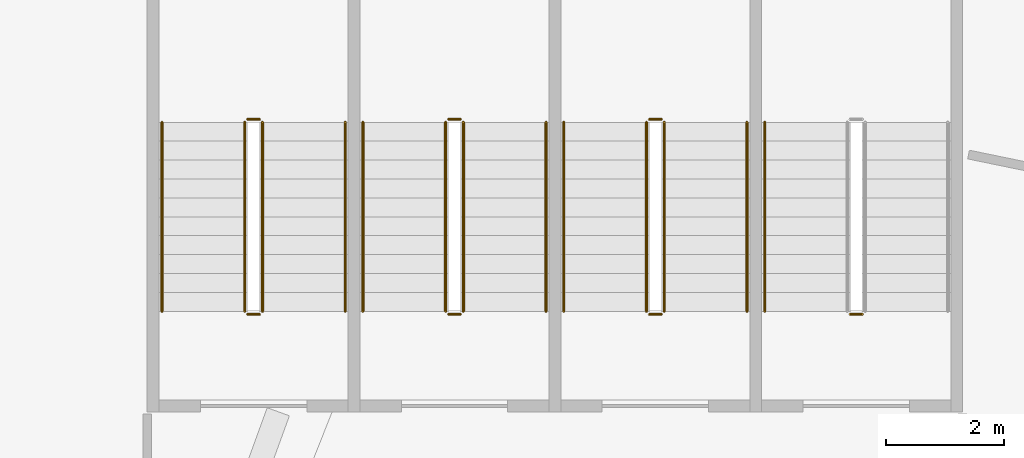
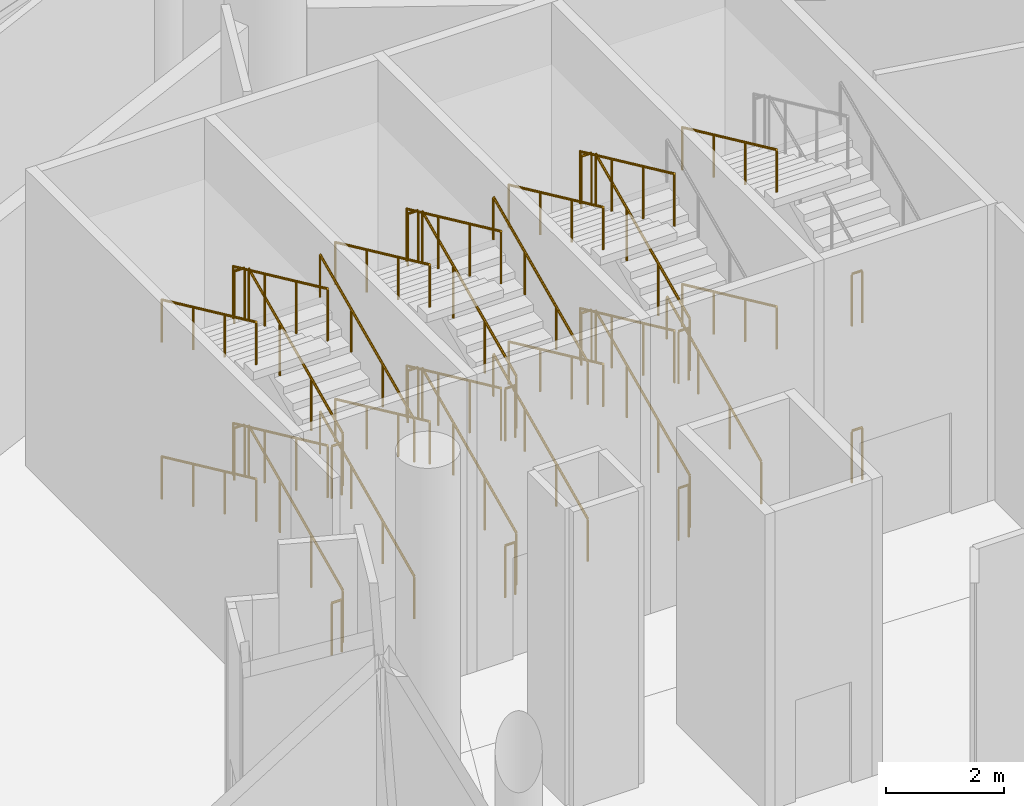
# One storey, part 249 of 255: 39 railings.
"""IFC4 building model written with IfcOpenShell, lengths in metres."""

import ifcopenshell
import ifcopenshell.guid

model = None  # the IFC model being written
_history = None  # IfcOwnerHistory: only IFC2X3 demands one
_inside = {}  # id of a spatial element -> (the spatial element, [elements in it])
_under = {}  # id of a project, library or spatial element -> (it, [spatial elements below it])
_declared = {}  # id of a project -> (the project, [libraries it declares])
_typed = {}  # id of a type object -> (the type object, [elements of that type])
_made_of = {}  # id of a material, layer set ... -> (it, [elements and type objects made of it])


def new_model(schema):
    """Start an empty IFC model of exactly this schema.

    Asked for "IFC4X3", IfcOpenShell would pick the latest addendum, in which some entities
    have other attributes; the version numbers below select the first issue.
    IFC2X3 requires an IfcOwnerHistory on every rooted entity: one is made here for all.
    """
    global model, _history
    if schema == "IFC4X3":
        model = ifcopenshell.file(schema_version=(4, 3, 0, 0))
    else:
        model = ifcopenshell.file(schema=schema)
    _inside.clear()
    _under.clear()
    _declared.clear()
    _typed.clear()
    _made_of.clear()
    _history = None
    if model.schema == "IFC2X3":
        org = make("IfcOrganization", Name="unknown")
        user = make(
            "IfcPersonAndOrganization",
            ThePerson=make("IfcPerson", FamilyName="unknown"),
            TheOrganization=org,
        )
        app = make(
            "IfcApplication",
            ApplicationDeveloper=org,
            Version="unknown",
            ApplicationFullName="unknown",
            ApplicationIdentifier="unknown",
        )
        _history = make(
            "IfcOwnerHistory",
            OwningUser=user,
            OwningApplication=app,
            ChangeAction="ADDED",
            CreationDate=0,
        )
    return model


def make(cls, **values):
    """One entity of the class cls with the attributes given. An attribute that is None is left unset."""
    return model.create_entity(
        cls, **{name: value for name, value in values.items() if value is not None}
    )


def rooted(cls, **values):
    """An entity with a GlobalId (a new one), such as an element, a storey or a relation."""
    return make(cls, GlobalId=ifcopenshell.guid.new(), OwnerHistory=_history, **values)


def si_unit(unit_type, name, prefix=None):
    """IfcSIUnit, for example si_unit("LENGTHUNIT", "METRE", prefix="MILLI")."""
    return make("IfcSIUnit", UnitType=unit_type, Prefix=prefix, Name=name)


def assignment(units):
    """IfcUnitAssignment: the units of a project."""
    return None if units is None else make("IfcUnitAssignment", Units=units)


def point(xyz):
    """IfcCartesianPoint."""
    return None if xyz is None else make("IfcCartesianPoint", Coordinates=xyz)


def direction(xyz):
    """IfcDirection."""
    return None if xyz is None else make("IfcDirection", DirectionRatios=xyz)


def frame(location, z_axis=None, x_axis=None):
    """IfcAxis2Placement3D, a coordinate frame: its origin and axes. An axis left out is left unset."""
    return make(
        "IfcAxis2Placement3D",
        Location=point(location),
        Axis=direction(z_axis),
        RefDirection=direction(x_axis),
    )


def frame_2d(location, x_axis=None):
    """IfcAxis2Placement2D, a coordinate frame in the plane: its origin and x axis."""
    return make(
        "IfcAxis2Placement2D", Location=point(location), RefDirection=direction(x_axis)
    )


def origin():
    """The frame at (0, 0, 0) with its axes left unset."""
    return frame((0.0, 0.0, 0.0))


def origin_2d():
    """The frame at (0, 0) in the plane with its x axis left unset."""
    return frame_2d((0.0, 0.0))


def place(relative_to, where):
    """IfcLocalPlacement: puts the frame where relative to a parent placement (None: the world)."""
    return make(
        "IfcLocalPlacement", PlacementRelTo=relative_to, RelativePlacement=where
    )


def context(
    kind, dimensions, precision=None, world=None, true_north=None, identifier=None
):
    """IfcGeometricRepresentationContext, for example the 3D "Model" context."""
    return make(
        "IfcGeometricRepresentationContext",
        ContextIdentifier=identifier,
        ContextType=kind,
        CoordinateSpaceDimension=dimensions,
        Precision=precision,
        WorldCoordinateSystem=world,
        TrueNorth=true_north,
    )


def subcontext(parent, identifier, kind, view, scale=None):
    """IfcGeometricRepresentationSubContext, for example "Body" below "Model"."""
    return make(
        "IfcGeometricRepresentationSubContext",
        ContextIdentifier=identifier,
        ContextType=kind,
        ParentContext=parent,
        TargetScale=scale,
        TargetView=view,
    )


def project(units=None, contexts=None):
    """IfcProject with its units and contexts."""
    return rooted(
        "IfcProject",
        Name="project",
        RepresentationContexts=contexts,
        UnitsInContext=assignment(units),
    )


def spatial(cls, under=None, at=None, **own):
    """A site, building, storey or space (cls), placed at a placement, below another one or the project."""
    s = rooted(cls, ObjectPlacement=at, **own)
    if under is not None:
        _under.setdefault(under.id(), (under, []))[1].append(s)
    return s


def profile(cls, at=None, kind="AREA", **sizes):
    """A parametric profile (cls). Its sizes go by their IFC names, for example OverallWidth=200.0."""
    return make(cls, ProfileType=kind, Position=at, **sizes)


def circle(**sizes):
    """IfcCircleProfileDef."""
    return profile("IfcCircleProfileDef", **sizes)


def extrude(swept, where, along, depth):
    """IfcExtrudedAreaSolid: the profile swept, set in the frame where, extruded along a direction by depth."""
    return make(
        "IfcExtrudedAreaSolid",
        SweptArea=swept,
        Position=where,
        ExtrudedDirection=direction(along),
        Depth=depth,
    )


def shape(context_of_items, identifier, shape_type, items):
    """IfcShapeRepresentation: the items that make up one representation, for example the "Body"."""
    return make(
        "IfcShapeRepresentation",
        ContextOfItems=context_of_items,
        RepresentationIdentifier=identifier,
        RepresentationType=shape_type,
        Items=items,
    )


def material(Name=None, Category=None):
    """IfcMaterial."""
    return make("IfcMaterial", Name=Name, Category=Category)


def made_of(thing, what):
    """Note that an element or type object is made of a material, layer set ...; save() writes the relation."""
    if what is not None:
        _made_of.setdefault(what.id(), (what, []))[1].append(thing)
    return thing


def type_object(cls, material=None, **own):
    """A type object (cls), such as IfcWallType, which elements share."""
    return made_of(rooted(cls, **own), material)


def element(
    cls,
    number,
    at=None,
    inside=None,
    cuts=None,
    type_object=None,
    material=None,
    context=None,
    identifier="Body",
    shape_type=None,
    held_by="IfcProductDefinitionShape",
    body=None,
    shapes=None,
    **own,
):
    """One element of the class cls, such as IfcWall. Its Tag is "e" and its number.

    at: its placement. inside: the storey or other place that contains it. cuts: it is an
    opening in that element (IfcRelVoidsElement). A single representation is given by context,
    identifier, shape_type and body (its items); several are given by shapes. held_by: the class
    of the entity that holds the representations. save() writes the other relations.
    """
    e = rooted(cls, Tag="e%d" % number, ObjectPlacement=at, **own)
    if body is not None:
        shapes = [shape(context, identifier, shape_type, body)]
    if shapes is not None:
        e.Representation = make(held_by, Representations=shapes)
    if inside is not None:
        _inside.setdefault(inside.id(), (inside, []))[1].append(e)
    if cuts is not None:
        rooted(
            "IfcRelVoidsElement", RelatingBuildingElement=cuts, RelatedOpeningElement=e
        )
    if type_object is not None:
        _typed.setdefault(type_object.id(), (type_object, []))[1].append(e)
    return made_of(e, material)


def aggregate(whole, parts):
    """IfcRelAggregates: a whole, such as a stair, and the parts it consists of."""
    return rooted("IfcRelAggregates", RelatingObject=whole, RelatedObjects=parts)


def save(model, path):
    """Write the relations noted so far, then the file.

    IfcRelAggregates (storeys below a building ...), IfcRelContainedInSpatialStructure (elements
    in a storey), IfcRelDefinesByType, IfcRelAssociatesMaterial and IfcRelDeclares: one each for
    every whole, place, type object, material and project.
    """
    for whole, parts in _under.values():
        aggregate(whole, parts)
    for where, things in _inside.values():
        rooted(
            "IfcRelContainedInSpatialStructure",
            RelatedElements=things,
            RelatingStructure=where,
        )
    for kind, things in _typed.values():
        rooted("IfcRelDefinesByType", RelatedObjects=things, RelatingType=kind)
    for what, things in _made_of.values():
        rooted("IfcRelAssociatesMaterial", RelatedObjects=things, RelatingMaterial=what)
    for by, libraries in _declared.values():
        rooted("IfcRelDeclares", RelatingContext=by, RelatedDefinitions=libraries)
    model.write(path)


model = new_model("IFC4")

# Units and contexts
model_context = context("Model", 3, precision=1e-05, world=origin(), true_north=direction((0.0, 1.0)))
body_context = subcontext(model_context, "Body", "Model", "MODEL_VIEW")
ifc_project = project(units=[si_unit("LENGTHUNIT", "METRE"), si_unit("AREAUNIT", "SQUARE_METRE"), si_unit("VOLUMEUNIT", "CUBIC_METRE"), si_unit("PLANEANGLEUNIT", "RADIAN"), si_unit("MASSUNIT", "GRAM", prefix="KILO")], contexts=[model_context])

# Site, building, storey
site_placement = place(None, origin())
site = spatial("IfcSite", under=ifc_project, at=site_placement, CompositionType="ELEMENT")
building_placement = place(site_placement, origin())
building = spatial("IfcBuilding", under=site, at=building_placement, Name="Meseta Stadium", CompositionType="ELEMENT")
storey_placement = place(building_placement, origin())
storey = spatial("IfcBuildingStorey", under=building, at=storey_placement, Name="L00", CompositionType="ELEMENT", Elevation=0.0)

# Railings
ifc_material_1 = material(Name="Steel S355", Category="steel")
railing_type_1 = type_object("IfcRailingType", Name="Stair guard 1100", PredefinedType="GUARDRAIL", material=ifc_material_1)
for number, where, name in (
    (1, (43.533447265625, 94.14990234375, 3.25), "ST33 L00 guard 4"),
    (2, (43.533447265625, 94.14990234375, 0.0), "ST33 L00 guard 8"),
):
    element("IfcRailing", number, at=place(storey_placement, frame(where)), inside=storey, type_object=railing_type_1, Name=name, PredefinedType="GUARDRAIL", context=body_context, shape_type="SweptSolid", body=[
        extrude(circle(Radius=0.02392578125, at=origin_2d()), frame((0.0, 0.0, 1.076171875), z_axis=(-1.0, 0.0, 0.0), x_axis=(0.0, -1.0, 0.0)), (0.0, 0.0, 1.0), 0.2001953125),
        extrude(circle(Radius=0.02099609375, at=origin_2d()), origin(), (0.0, 0.0, 1.0), 1.052001953125),
        extrude(circle(Radius=0.02099609375, at=origin_2d()), frame((-0.2001953125, 0.0, 0.0)), (0.0, 0.0, 1.0), 1.052001953125),
    ])
railing_1_placement = place(storey_placement, frame((40.183349609375, 94.199951171875, 0.147705078125)))
element("IfcRailing", 3, at=railing_1_placement, inside=storey, type_object=railing_type_1, Name="ST34 L00 guard 1", PredefinedType="GUARDRAIL", context=body_context, shape_type="SweptSolid", body=[
    extrude(circle(Radius=0.02392578125, at=origin_2d()), frame((0.0, 0.0, 1.076171875), z_axis=(0.0, 0.907916804346, 0.419150422148), x_axis=(-1.0, 0.0, 0.0)), (0.0, 0.0, 1.0), 3.5244140625),
    extrude(circle(Radius=0.02099609375, at=origin_2d()), origin(), (0.0, 0.0, 1.0), 1.052001953125),
    extrude(circle(Radius=0.02099609375, at=origin_2d()), frame((0.0, 1.066650390625, 0.492431640625)), (0.0, 0.0, 1.0), 1.052001953125),
    extrude(circle(Radius=0.02099609375, at=origin_2d()), frame((0.0, 2.13330078125, 0.98486328125)), (0.0, 0.0, 1.0), 1.052001953125),
    extrude(circle(Radius=0.02099609375, at=origin_2d()), frame((0.0, 3.199951171875, 1.477294921875)), (0.0, 0.0, 1.0), 1.052001953125),
])
railing_2_placement = place(storey_placement, frame((40.13330078125, 97.449951171875, 1.625)))
element("IfcRailing", 4, at=railing_2_placement, inside=storey, type_object=railing_type_1, Name="ST34 L00 guard 2", PredefinedType="GUARDRAIL", context=body_context, shape_type="SweptSolid", body=[
    extrude(circle(Radius=0.02392578125, at=origin_2d()), frame((0.0, 0.0, 1.076171875), z_axis=(-1.0, 0.0, 0.0), x_axis=(0.0, -1.0, 0.0)), (0.0, 0.0, 1.0), 0.199951171875),
    extrude(circle(Radius=0.02099609375, at=origin_2d()), origin(), (0.0, 0.0, 1.0), 1.052001953125),
    extrude(circle(Radius=0.02099609375, at=origin_2d()), frame((-0.199951171875, 0.0, 0.0)), (0.0, 0.0, 1.0), 1.052001953125),
])
railing_3_placement = place(storey_placement, frame((39.88330078125, 97.39990234375, 1.772705078125)))
element("IfcRailing", 5, at=railing_3_placement, inside=storey, type_object=railing_type_1, Name="ST34 L00 guard 3", PredefinedType="GUARDRAIL", context=body_context, shape_type="SweptSolid", body=[
    extrude(circle(Radius=0.02392578125, at=origin_2d()), frame((0.0, 0.0, 1.076171875), z_axis=(0.0, -0.907916804346, 0.419150422148), x_axis=(1.0, 0.0, 0.0)), (0.0, 0.0, 1.0), 3.5244140625),
    extrude(circle(Radius=0.02099609375, at=origin_2d()), origin(), (0.0, 0.0, 1.0), 1.052001953125),
    extrude(circle(Radius=0.02099609375, at=origin_2d()), frame((0.0, -1.066650390625, 0.492431640625)), (0.0, 0.0, 1.0), 1.052001953125),
    extrude(circle(Radius=0.02099609375, at=origin_2d()), frame((0.0, -2.13330078125, 0.98486328125)), (0.0, 0.0, 1.0), 1.052001953125),
    extrude(circle(Radius=0.02099609375, at=origin_2d()), frame((0.0, -3.199951171875, 1.477294921875)), (0.0, 0.0, 1.0), 1.052001953125),
])
railing_4_placement = place(storey_placement, frame((40.13330078125, 94.14990234375, 3.25)))
element("IfcRailing", 6, at=railing_4_placement, inside=storey, type_object=railing_type_1, Name="ST34 L00 guard 4", PredefinedType="GUARDRAIL", context=body_context, shape_type="SweptSolid", body=[
    extrude(circle(Radius=0.02392578125, at=origin_2d()), frame((0.0, 0.0, 1.076171875), z_axis=(-1.0, 0.0, 0.0), x_axis=(0.0, -1.0, 0.0)), (0.0, 0.0, 1.0), 0.199951171875),
    extrude(circle(Radius=0.02099609375, at=origin_2d()), origin(), (0.0, 0.0, 1.0), 1.052001953125),
    extrude(circle(Radius=0.02099609375, at=origin_2d()), frame((-0.199951171875, 0.0, 0.0)), (0.0, 0.0, 1.0), 1.052001953125),
])
railing_5_placement = place(storey_placement, frame((40.183349609375, 94.199951171875, 3.397705078125)))
element("IfcRailing", 7, at=railing_5_placement, inside=storey, type_object=railing_type_1, Name="ST34 L00 guard 5", PredefinedType="GUARDRAIL", context=body_context, shape_type="SweptSolid", body=[
    extrude(circle(Radius=0.02392578125, at=origin_2d()), frame((0.0, 0.0, 1.076171875), z_axis=(0.0, 0.907916804346, 0.419150422148), x_axis=(-1.0, 0.0, 0.0)), (0.0, 0.0, 1.0), 3.5244140625),
    extrude(circle(Radius=0.02099609375, at=origin_2d()), origin(), (0.0, 0.0, 1.0), 1.052001953125),
    extrude(circle(Radius=0.02099609375, at=origin_2d()), frame((0.0, 1.066650390625, 0.492431640625)), (0.0, 0.0, 1.0), 1.052001953125),
    extrude(circle(Radius=0.02099609375, at=origin_2d()), frame((0.0, 2.13330078125, 0.98486328125)), (0.0, 0.0, 1.0), 1.052001953125),
    extrude(circle(Radius=0.02099609375, at=origin_2d()), frame((0.0, 3.199951171875, 1.477294921875)), (0.0, 0.0, 1.0), 1.052001953125),
])
railing_6_placement = place(storey_placement, frame((40.13330078125, 97.449951171875, 4.875)))
element("IfcRailing", 8, at=railing_6_placement, inside=storey, type_object=railing_type_1, Name="ST34 L00 guard 6", PredefinedType="GUARDRAIL", context=body_context, shape_type="SweptSolid", body=[
    extrude(circle(Radius=0.02392578125, at=origin_2d()), frame((0.0, 0.0, 1.076171875), z_axis=(-1.0, 0.0, 0.0), x_axis=(0.0, -1.0, 0.0)), (0.0, 0.0, 1.0), 0.199951171875),
    extrude(circle(Radius=0.02099609375, at=origin_2d()), origin(), (0.0, 0.0, 1.0), 1.052001953125),
    extrude(circle(Radius=0.02099609375, at=origin_2d()), frame((-0.199951171875, 0.0, 0.0)), (0.0, 0.0, 1.0), 1.052001953125),
])
railing_7_placement = place(storey_placement, frame((39.88330078125, 97.39990234375, 5.022705078125)))
element("IfcRailing", 9, at=railing_7_placement, inside=storey, type_object=railing_type_1, Name="ST34 L00 guard 7", PredefinedType="GUARDRAIL", context=body_context, shape_type="SweptSolid", body=[
    extrude(circle(Radius=0.02392578125, at=origin_2d()), frame((0.0, 0.0, 1.076171875), z_axis=(0.0, -0.907916804346, 0.419150422148), x_axis=(1.0, 0.0, 0.0)), (0.0, 0.0, 1.0), 3.5244140625),
    extrude(circle(Radius=0.02099609375, at=origin_2d()), origin(), (0.0, 0.0, 1.0), 1.052001953125),
    extrude(circle(Radius=0.02099609375, at=origin_2d()), frame((0.0, -1.066650390625, 0.492431640625)), (0.0, 0.0, 1.0), 1.052001953125),
    extrude(circle(Radius=0.02099609375, at=origin_2d()), frame((0.0, -2.13330078125, 0.98486328125)), (0.0, 0.0, 1.0), 1.052001953125),
    extrude(circle(Radius=0.02099609375, at=origin_2d()), frame((0.0, -3.199951171875, 1.477294921875)), (0.0, 0.0, 1.0), 1.052001953125),
])
railing_8_placement = place(storey_placement, frame((40.13330078125, 94.14990234375, 0.0)))
element("IfcRailing", 10, at=railing_8_placement, inside=storey, type_object=railing_type_1, Name="ST34 L00 guard 8", PredefinedType="GUARDRAIL", context=body_context, shape_type="SweptSolid", body=[
    extrude(circle(Radius=0.02392578125, at=origin_2d()), frame((0.0, 0.0, 1.076171875), z_axis=(-1.0, 0.0, 0.0), x_axis=(0.0, -1.0, 0.0)), (0.0, 0.0, 1.0), 0.199951171875),
    extrude(circle(Radius=0.02099609375, at=origin_2d()), origin(), (0.0, 0.0, 1.0), 1.052001953125),
    extrude(circle(Radius=0.02099609375, at=origin_2d()), frame((-0.199951171875, 0.0, 0.0)), (0.0, 0.0, 1.0), 1.052001953125),
])
railing_9_placement = place(storey_placement, frame((36.783447265625, 94.199951171875, 0.147705078125)))
element("IfcRailing", 11, at=railing_9_placement, inside=storey, type_object=railing_type_1, Name="ST35 L00 guard 1", PredefinedType="GUARDRAIL", context=body_context, shape_type="SweptSolid", body=[
    extrude(circle(Radius=0.02392578125, at=origin_2d()), frame((0.0, 0.0, 1.076171875), z_axis=(0.0, 0.907916804346, 0.419150422148), x_axis=(-1.0, 0.0, 0.0)), (0.0, 0.0, 1.0), 3.5244140625),
    extrude(circle(Radius=0.02099609375, at=origin_2d()), origin(), (0.0, 0.0, 1.0), 1.052001953125),
    extrude(circle(Radius=0.02099609375, at=origin_2d()), frame((0.0, 1.066650390625, 0.492431640625)), (0.0, 0.0, 1.0), 1.052001953125),
    extrude(circle(Radius=0.02099609375, at=origin_2d()), frame((0.0, 2.13330078125, 0.98486328125)), (0.0, 0.0, 1.0), 1.052001953125),
    extrude(circle(Radius=0.02099609375, at=origin_2d()), frame((0.0, 3.199951171875, 1.477294921875)), (0.0, 0.0, 1.0), 1.052001953125),
])
railing_10_placement = place(storey_placement, frame((36.7333984375, 97.449951171875, 1.625)))
element("IfcRailing", 12, at=railing_10_placement, inside=storey, type_object=railing_type_1, Name="ST35 L00 guard 2", PredefinedType="GUARDRAIL", context=body_context, shape_type="SweptSolid", body=[
    extrude(circle(Radius=0.02392578125, at=origin_2d()), frame((0.0, 0.0, 1.076171875), z_axis=(-1.0, 0.0, 0.0), x_axis=(0.0, -1.0, 0.0)), (0.0, 0.0, 1.0), 0.199951171875),
    extrude(circle(Radius=0.02099609375, at=origin_2d()), origin(), (0.0, 0.0, 1.0), 1.052001953125),
    extrude(circle(Radius=0.02099609375, at=origin_2d()), frame((-0.199951171875, 0.0, 0.0)), (0.0, 0.0, 1.0), 1.052001953125),
])
railing_11_placement = place(storey_placement, frame((36.4833984375, 97.39990234375, 1.772705078125)))
element("IfcRailing", 13, at=railing_11_placement, inside=storey, type_object=railing_type_1, Name="ST35 L00 guard 3", PredefinedType="GUARDRAIL", context=body_context, shape_type="SweptSolid", body=[
    extrude(circle(Radius=0.02392578125, at=origin_2d()), frame((0.0, 0.0, 1.076171875), z_axis=(0.0, -0.907916804346, 0.419150422148), x_axis=(1.0, 0.0, 0.0)), (0.0, 0.0, 1.0), 3.5244140625),
    extrude(circle(Radius=0.02099609375, at=origin_2d()), origin(), (0.0, 0.0, 1.0), 1.052001953125),
    extrude(circle(Radius=0.02099609375, at=origin_2d()), frame((0.0, -1.066650390625, 0.492431640625)), (0.0, 0.0, 1.0), 1.052001953125),
    extrude(circle(Radius=0.02099609375, at=origin_2d()), frame((0.0, -2.13330078125, 0.98486328125)), (0.0, 0.0, 1.0), 1.052001953125),
    extrude(circle(Radius=0.02099609375, at=origin_2d()), frame((0.0, -3.199951171875, 1.477294921875)), (0.0, 0.0, 1.0), 1.052001953125),
])
railing_12_placement = place(storey_placement, frame((36.7333984375, 94.14990234375, 3.25)))
element("IfcRailing", 14, at=railing_12_placement, inside=storey, type_object=railing_type_1, Name="ST35 L00 guard 4", PredefinedType="GUARDRAIL", context=body_context, shape_type="SweptSolid", body=[
    extrude(circle(Radius=0.02392578125, at=origin_2d()), frame((0.0, 0.0, 1.076171875), z_axis=(-1.0, 0.0, 0.0), x_axis=(0.0, -1.0, 0.0)), (0.0, 0.0, 1.0), 0.199951171875),
    extrude(circle(Radius=0.02099609375, at=origin_2d()), origin(), (0.0, 0.0, 1.0), 1.052001953125),
    extrude(circle(Radius=0.02099609375, at=origin_2d()), frame((-0.199951171875, 0.0, 0.0)), (0.0, 0.0, 1.0), 1.052001953125),
])
railing_13_placement = place(storey_placement, frame((36.783447265625, 94.199951171875, 3.397705078125)))
element("IfcRailing", 15, at=railing_13_placement, inside=storey, type_object=railing_type_1, Name="ST35 L00 guard 5", PredefinedType="GUARDRAIL", context=body_context, shape_type="SweptSolid", body=[
    extrude(circle(Radius=0.02392578125, at=origin_2d()), frame((0.0, 0.0, 1.076171875), z_axis=(0.0, 0.907916804346, 0.419150422148), x_axis=(-1.0, 0.0, 0.0)), (0.0, 0.0, 1.0), 3.5244140625),
    extrude(circle(Radius=0.02099609375, at=origin_2d()), origin(), (0.0, 0.0, 1.0), 1.052001953125),
    extrude(circle(Radius=0.02099609375, at=origin_2d()), frame((0.0, 1.066650390625, 0.492431640625)), (0.0, 0.0, 1.0), 1.052001953125),
    extrude(circle(Radius=0.02099609375, at=origin_2d()), frame((0.0, 2.13330078125, 0.98486328125)), (0.0, 0.0, 1.0), 1.052001953125),
    extrude(circle(Radius=0.02099609375, at=origin_2d()), frame((0.0, 3.199951171875, 1.477294921875)), (0.0, 0.0, 1.0), 1.052001953125),
])
railing_14_placement = place(storey_placement, frame((36.7333984375, 97.449951171875, 4.875)))
element("IfcRailing", 16, at=railing_14_placement, inside=storey, type_object=railing_type_1, Name="ST35 L00 guard 6", PredefinedType="GUARDRAIL", context=body_context, shape_type="SweptSolid", body=[
    extrude(circle(Radius=0.02392578125, at=origin_2d()), frame((0.0, 0.0, 1.076171875), z_axis=(-1.0, 0.0, 0.0), x_axis=(0.0, -1.0, 0.0)), (0.0, 0.0, 1.0), 0.199951171875),
    extrude(circle(Radius=0.02099609375, at=origin_2d()), origin(), (0.0, 0.0, 1.0), 1.052001953125),
    extrude(circle(Radius=0.02099609375, at=origin_2d()), frame((-0.199951171875, 0.0, 0.0)), (0.0, 0.0, 1.0), 1.052001953125),
])
railing_15_placement = place(storey_placement, frame((36.4833984375, 97.39990234375, 5.022705078125)))
element("IfcRailing", 17, at=railing_15_placement, inside=storey, type_object=railing_type_1, Name="ST35 L00 guard 7", PredefinedType="GUARDRAIL", context=body_context, shape_type="SweptSolid", body=[
    extrude(circle(Radius=0.02392578125, at=origin_2d()), frame((0.0, 0.0, 1.076171875), z_axis=(0.0, -0.907916804346, 0.419150422148), x_axis=(1.0, 0.0, 0.0)), (0.0, 0.0, 1.0), 3.5244140625),
    extrude(circle(Radius=0.02099609375, at=origin_2d()), origin(), (0.0, 0.0, 1.0), 1.052001953125),
    extrude(circle(Radius=0.02099609375, at=origin_2d()), frame((0.0, -1.066650390625, 0.492431640625)), (0.0, 0.0, 1.0), 1.052001953125),
    extrude(circle(Radius=0.02099609375, at=origin_2d()), frame((0.0, -2.13330078125, 0.98486328125)), (0.0, 0.0, 1.0), 1.052001953125),
    extrude(circle(Radius=0.02099609375, at=origin_2d()), frame((0.0, -3.199951171875, 1.477294921875)), (0.0, 0.0, 1.0), 1.052001953125),
])
railing_16_placement = place(storey_placement, frame((36.7333984375, 94.14990234375, 0.0)))
element("IfcRailing", 18, at=railing_16_placement, inside=storey, type_object=railing_type_1, Name="ST35 L00 guard 8", PredefinedType="GUARDRAIL", context=body_context, shape_type="SweptSolid", body=[
    extrude(circle(Radius=0.02392578125, at=origin_2d()), frame((0.0, 0.0, 1.076171875), z_axis=(-1.0, 0.0, 0.0), x_axis=(0.0, -1.0, 0.0)), (0.0, 0.0, 1.0), 0.199951171875),
    extrude(circle(Radius=0.02099609375, at=origin_2d()), origin(), (0.0, 0.0, 1.0), 1.052001953125),
    extrude(circle(Radius=0.02099609375, at=origin_2d()), frame((-0.199951171875, 0.0, 0.0)), (0.0, 0.0, 1.0), 1.052001953125),
])
railing_17_placement = place(storey_placement, frame((33.38330078125, 94.199951171875, 0.147705078125)))
element("IfcRailing", 19, at=railing_17_placement, inside=storey, type_object=railing_type_1, Name="ST36 L00 guard 1", PredefinedType="GUARDRAIL", context=body_context, shape_type="SweptSolid", body=[
    extrude(circle(Radius=0.02392578125, at=origin_2d()), frame((0.0, 0.0, 1.076171875), z_axis=(0.0, 0.907916804346, 0.419150422148), x_axis=(-1.0, 0.0, 0.0)), (0.0, 0.0, 1.0), 3.5244140625),
    extrude(circle(Radius=0.02099609375, at=origin_2d()), origin(), (0.0, 0.0, 1.0), 1.052001953125),
    extrude(circle(Radius=0.02099609375, at=origin_2d()), frame((0.0, 1.066650390625, 0.492431640625)), (0.0, 0.0, 1.0), 1.052001953125),
    extrude(circle(Radius=0.02099609375, at=origin_2d()), frame((0.0, 2.13330078125, 0.98486328125)), (0.0, 0.0, 1.0), 1.052001953125),
    extrude(circle(Radius=0.02099609375, at=origin_2d()), frame((0.0, 3.199951171875, 1.477294921875)), (0.0, 0.0, 1.0), 1.052001953125),
])
railing_18_placement = place(storey_placement, frame((33.333251953125, 97.449951171875, 1.625)))
element("IfcRailing", 20, at=railing_18_placement, inside=storey, type_object=railing_type_1, Name="ST36 L00 guard 2", PredefinedType="GUARDRAIL", context=body_context, shape_type="SweptSolid", body=[
    extrude(circle(Radius=0.02392578125, at=origin_2d()), frame((0.0, 0.0, 1.076171875), z_axis=(-1.0, 0.0, 0.0), x_axis=(0.0, -1.0, 0.0)), (0.0, 0.0, 1.0), 0.199951171875),
    extrude(circle(Radius=0.02099609375, at=origin_2d()), origin(), (0.0, 0.0, 1.0), 1.052001953125),
    extrude(circle(Radius=0.02099609375, at=origin_2d()), frame((-0.199951171875, 0.0, 0.0)), (0.0, 0.0, 1.0), 1.052001953125),
])
railing_19_placement = place(storey_placement, frame((33.083251953125, 97.39990234375, 1.772705078125)))
element("IfcRailing", 21, at=railing_19_placement, inside=storey, type_object=railing_type_1, Name="ST36 L00 guard 3", PredefinedType="GUARDRAIL", context=body_context, shape_type="SweptSolid", body=[
    extrude(circle(Radius=0.02392578125, at=origin_2d()), frame((0.0, 0.0, 1.076171875), z_axis=(0.0, -0.907916804346, 0.419150422148), x_axis=(1.0, 0.0, 0.0)), (0.0, 0.0, 1.0), 3.5244140625),
    extrude(circle(Radius=0.02099609375, at=origin_2d()), origin(), (0.0, 0.0, 1.0), 1.052001953125),
    extrude(circle(Radius=0.02099609375, at=origin_2d()), frame((0.0, -1.066650390625, 0.492431640625)), (0.0, 0.0, 1.0), 1.052001953125),
    extrude(circle(Radius=0.02099609375, at=origin_2d()), frame((0.0, -2.13330078125, 0.98486328125)), (0.0, 0.0, 1.0), 1.052001953125),
    extrude(circle(Radius=0.02099609375, at=origin_2d()), frame((0.0, -3.199951171875, 1.477294921875)), (0.0, 0.0, 1.0), 1.052001953125),
])
railing_20_placement = place(storey_placement, frame((33.333251953125, 94.14990234375, 3.25)))
element("IfcRailing", 22, at=railing_20_placement, inside=storey, type_object=railing_type_1, Name="ST36 L00 guard 4", PredefinedType="GUARDRAIL", context=body_context, shape_type="SweptSolid", body=[
    extrude(circle(Radius=0.02392578125, at=origin_2d()), frame((0.0, 0.0, 1.076171875), z_axis=(-1.0, 0.0, 0.0), x_axis=(0.0, -1.0, 0.0)), (0.0, 0.0, 1.0), 0.199951171875),
    extrude(circle(Radius=0.02099609375, at=origin_2d()), origin(), (0.0, 0.0, 1.0), 1.052001953125),
    extrude(circle(Radius=0.02099609375, at=origin_2d()), frame((-0.199951171875, 0.0, 0.0)), (0.0, 0.0, 1.0), 1.052001953125),
])
railing_21_placement = place(storey_placement, frame((33.38330078125, 94.199951171875, 3.397705078125)))
element("IfcRailing", 23, at=railing_21_placement, inside=storey, type_object=railing_type_1, Name="ST36 L00 guard 5", PredefinedType="GUARDRAIL", context=body_context, shape_type="SweptSolid", body=[
    extrude(circle(Radius=0.02392578125, at=origin_2d()), frame((0.0, 0.0, 1.076171875), z_axis=(0.0, 0.907916804346, 0.419150422148), x_axis=(-1.0, 0.0, 0.0)), (0.0, 0.0, 1.0), 3.5244140625),
    extrude(circle(Radius=0.02099609375, at=origin_2d()), origin(), (0.0, 0.0, 1.0), 1.052001953125),
    extrude(circle(Radius=0.02099609375, at=origin_2d()), frame((0.0, 1.066650390625, 0.492431640625)), (0.0, 0.0, 1.0), 1.052001953125),
    extrude(circle(Radius=0.02099609375, at=origin_2d()), frame((0.0, 2.13330078125, 0.98486328125)), (0.0, 0.0, 1.0), 1.052001953125),
    extrude(circle(Radius=0.02099609375, at=origin_2d()), frame((0.0, 3.199951171875, 1.477294921875)), (0.0, 0.0, 1.0), 1.052001953125),
])
railing_22_placement = place(storey_placement, frame((33.333251953125, 97.449951171875, 4.875)))
element("IfcRailing", 24, at=railing_22_placement, inside=storey, type_object=railing_type_1, Name="ST36 L00 guard 6", PredefinedType="GUARDRAIL", context=body_context, shape_type="SweptSolid", body=[
    extrude(circle(Radius=0.02392578125, at=origin_2d()), frame((0.0, 0.0, 1.076171875), z_axis=(-1.0, 0.0, 0.0), x_axis=(0.0, -1.0, 0.0)), (0.0, 0.0, 1.0), 0.199951171875),
    extrude(circle(Radius=0.02099609375, at=origin_2d()), origin(), (0.0, 0.0, 1.0), 1.052001953125),
    extrude(circle(Radius=0.02099609375, at=origin_2d()), frame((-0.199951171875, 0.0, 0.0)), (0.0, 0.0, 1.0), 1.052001953125),
])
railing_23_placement = place(storey_placement, frame((33.083251953125, 97.39990234375, 5.022705078125)))
element("IfcRailing", 25, at=railing_23_placement, inside=storey, type_object=railing_type_1, Name="ST36 L00 guard 7", PredefinedType="GUARDRAIL", context=body_context, shape_type="SweptSolid", body=[
    extrude(circle(Radius=0.02392578125, at=origin_2d()), frame((0.0, 0.0, 1.076171875), z_axis=(0.0, -0.907916804346, 0.419150422148), x_axis=(1.0, 0.0, 0.0)), (0.0, 0.0, 1.0), 3.5244140625),
    extrude(circle(Radius=0.02099609375, at=origin_2d()), origin(), (0.0, 0.0, 1.0), 1.052001953125),
    extrude(circle(Radius=0.02099609375, at=origin_2d()), frame((0.0, -1.066650390625, 0.492431640625)), (0.0, 0.0, 1.0), 1.052001953125),
    extrude(circle(Radius=0.02099609375, at=origin_2d()), frame((0.0, -2.13330078125, 0.98486328125)), (0.0, 0.0, 1.0), 1.052001953125),
    extrude(circle(Radius=0.02099609375, at=origin_2d()), frame((0.0, -3.199951171875, 1.477294921875)), (0.0, 0.0, 1.0), 1.052001953125),
])
railing_24_placement = place(storey_placement, frame((33.333251953125, 94.14990234375, 0.0)))
element("IfcRailing", 26, at=railing_24_placement, inside=storey, type_object=railing_type_1, Name="ST36 L00 guard 8", PredefinedType="GUARDRAIL", context=body_context, shape_type="SweptSolid", body=[
    extrude(circle(Radius=0.02392578125, at=origin_2d()), frame((0.0, 0.0, 1.076171875), z_axis=(-1.0, 0.0, 0.0), x_axis=(0.0, -1.0, 0.0)), (0.0, 0.0, 1.0), 0.199951171875),
    extrude(circle(Radius=0.02099609375, at=origin_2d()), origin(), (0.0, 0.0, 1.0), 1.052001953125),
    extrude(circle(Radius=0.02099609375, at=origin_2d()), frame((-0.199951171875, 0.0, 0.0)), (0.0, 0.0, 1.0), 1.052001953125),
])
ifc_material_2 = material(Name="Steel S355", Category="steel")
railing_type_2 = type_object("IfcRailingType", Name="Stair handrail 900", PredefinedType="HANDRAIL", material=ifc_material_2)
for number, where, name in (
    (27, (41.88330078125, 97.39990234375, 1.772705078125), "ST33 L00 handrail 2"),
    (28, (41.88330078125, 97.39990234375, 5.022705078125), "ST33 L00 handrail 4"),
):
    element("IfcRailing", number, at=place(storey_placement, frame(where)), inside=storey, type_object=railing_type_2, Name=name, PredefinedType="HANDRAIL", context=body_context, shape_type="SweptSolid", body=[
        extrude(circle(Radius=0.02392578125, at=origin_2d()), frame((0.0, 0.0, 0.8759765625), z_axis=(0.0, -0.907916804346, 0.419150422148), x_axis=(1.0, 0.0, 0.0)), (0.0, 0.0, 1.0), 3.5244140625),
        extrude(circle(Radius=0.02099609375, at=origin_2d()), origin(), (0.0, 0.0, 1.0), 0.851806640625),
        extrude(circle(Radius=0.02099609375, at=origin_2d()), frame((0.0, -1.066650390625, 0.492431640625)), (0.0, 0.0, 1.0), 0.851806640625),
        extrude(circle(Radius=0.02099609375, at=origin_2d()), frame((0.0, -2.13330078125, 0.98486328125)), (0.0, 0.0, 1.0), 0.851806640625),
        extrude(circle(Radius=0.02099609375, at=origin_2d()), frame((0.0, -3.199951171875, 1.477294921875)), (0.0, 0.0, 1.0), 0.851806640625),
    ])
railing_25_placement = place(storey_placement, frame((41.583251953125, 94.199951171875, 0.147705078125)))
element("IfcRailing", 29, at=railing_25_placement, inside=storey, type_object=railing_type_2, Name="ST34 L00 handrail 1", PredefinedType="HANDRAIL", context=body_context, shape_type="SweptSolid", body=[
    extrude(circle(Radius=0.02392578125, at=origin_2d()), frame((0.0, 0.0, 0.8759765625), z_axis=(0.0, 0.907916804346, 0.419150422148), x_axis=(-1.0, 0.0, 0.0)), (0.0, 0.0, 1.0), 3.5244140625),
    extrude(circle(Radius=0.02099609375, at=origin_2d()), origin(), (0.0, 0.0, 1.0), 0.851806640625),
    extrude(circle(Radius=0.02099609375, at=origin_2d()), frame((0.0, 1.066650390625, 0.492431640625)), (0.0, 0.0, 1.0), 0.851806640625),
    extrude(circle(Radius=0.02099609375, at=origin_2d()), frame((0.0, 2.13330078125, 0.98486328125)), (0.0, 0.0, 1.0), 0.851806640625),
    extrude(circle(Radius=0.02099609375, at=origin_2d()), frame((0.0, 3.199951171875, 1.477294921875)), (0.0, 0.0, 1.0), 0.851806640625),
])
for number, where, name in (
    (30, (38.4833984375, 97.39990234375, 1.772705078125), "ST34 L00 handrail 2"),
    (31, (38.4833984375, 97.39990234375, 5.022705078125), "ST34 L00 handrail 4"),
):
    element("IfcRailing", number, at=place(storey_placement, frame(where)), inside=storey, type_object=railing_type_2, Name=name, PredefinedType="HANDRAIL", context=body_context, shape_type="SweptSolid", body=[
        extrude(circle(Radius=0.02392578125, at=origin_2d()), frame((0.0, 0.0, 0.8759765625), z_axis=(0.0, -0.907916804346, 0.419150422148), x_axis=(1.0, 0.0, 0.0)), (0.0, 0.0, 1.0), 3.5244140625),
        extrude(circle(Radius=0.02099609375, at=origin_2d()), origin(), (0.0, 0.0, 1.0), 0.851806640625),
        extrude(circle(Radius=0.02099609375, at=origin_2d()), frame((0.0, -1.066650390625, 0.492431640625)), (0.0, 0.0, 1.0), 0.851806640625),
        extrude(circle(Radius=0.02099609375, at=origin_2d()), frame((0.0, -2.13330078125, 0.98486328125)), (0.0, 0.0, 1.0), 0.851806640625),
        extrude(circle(Radius=0.02099609375, at=origin_2d()), frame((0.0, -3.199951171875, 1.477294921875)), (0.0, 0.0, 1.0), 0.851806640625),
    ])
railing_26_placement = place(storey_placement, frame((38.183349609375, 94.199951171875, 0.147705078125)))
element("IfcRailing", 32, at=railing_26_placement, inside=storey, type_object=railing_type_2, Name="ST35 L00 handrail 1", PredefinedType="HANDRAIL", context=body_context, shape_type="SweptSolid", body=[
    extrude(circle(Radius=0.02392578125, at=origin_2d()), frame((0.0, 0.0, 0.8759765625), z_axis=(0.0, 0.907916804346, 0.419150422148), x_axis=(-1.0, 0.0, 0.0)), (0.0, 0.0, 1.0), 3.5244140625),
    extrude(circle(Radius=0.02099609375, at=origin_2d()), origin(), (0.0, 0.0, 1.0), 0.851806640625),
    extrude(circle(Radius=0.02099609375, at=origin_2d()), frame((0.0, 1.066650390625, 0.492431640625)), (0.0, 0.0, 1.0), 0.851806640625),
    extrude(circle(Radius=0.02099609375, at=origin_2d()), frame((0.0, 2.13330078125, 0.98486328125)), (0.0, 0.0, 1.0), 0.851806640625),
    extrude(circle(Radius=0.02099609375, at=origin_2d()), frame((0.0, 3.199951171875, 1.477294921875)), (0.0, 0.0, 1.0), 0.851806640625),
])
railing_27_placement = place(storey_placement, frame((35.083251953125, 97.39990234375, 1.772705078125)))
element("IfcRailing", 33, at=railing_27_placement, inside=storey, type_object=railing_type_2, Name="ST35 L00 handrail 2", PredefinedType="HANDRAIL", context=body_context, shape_type="SweptSolid", body=[
    extrude(circle(Radius=0.02392578125, at=origin_2d()), frame((0.0, 0.0, 0.8759765625), z_axis=(0.0, -0.907916804346, 0.419150422148), x_axis=(1.0, 0.0, 0.0)), (0.0, 0.0, 1.0), 3.5244140625),
    extrude(circle(Radius=0.02099609375, at=origin_2d()), origin(), (0.0, 0.0, 1.0), 0.851806640625),
    extrude(circle(Radius=0.02099609375, at=origin_2d()), frame((0.0, -1.066650390625, 0.492431640625)), (0.0, 0.0, 1.0), 0.851806640625),
    extrude(circle(Radius=0.02099609375, at=origin_2d()), frame((0.0, -2.13330078125, 0.98486328125)), (0.0, 0.0, 1.0), 0.851806640625),
    extrude(circle(Radius=0.02099609375, at=origin_2d()), frame((0.0, -3.199951171875, 1.477294921875)), (0.0, 0.0, 1.0), 0.851806640625),
])
railing_28_placement = place(storey_placement, frame((38.183349609375, 94.199951171875, 3.397705078125)))
element("IfcRailing", 34, at=railing_28_placement, inside=storey, type_object=railing_type_2, Name="ST35 L00 handrail 3", PredefinedType="HANDRAIL", context=body_context, shape_type="SweptSolid", body=[
    extrude(circle(Radius=0.02392578125, at=origin_2d()), frame((0.0, 0.0, 0.8759765625), z_axis=(0.0, 0.907916804346, 0.419150422148), x_axis=(-1.0, 0.0, 0.0)), (0.0, 0.0, 1.0), 3.5244140625),
    extrude(circle(Radius=0.02099609375, at=origin_2d()), origin(), (0.0, 0.0, 1.0), 0.851806640625),
    extrude(circle(Radius=0.02099609375, at=origin_2d()), frame((0.0, 1.066650390625, 0.492431640625)), (0.0, 0.0, 1.0), 0.851806640625),
    extrude(circle(Radius=0.02099609375, at=origin_2d()), frame((0.0, 2.13330078125, 0.98486328125)), (0.0, 0.0, 1.0), 0.851806640625),
    extrude(circle(Radius=0.02099609375, at=origin_2d()), frame((0.0, 3.199951171875, 1.477294921875)), (0.0, 0.0, 1.0), 0.851806640625),
])
railing_29_placement = place(storey_placement, frame((35.083251953125, 97.39990234375, 5.022705078125)))
element("IfcRailing", 35, at=railing_29_placement, inside=storey, type_object=railing_type_2, Name="ST35 L00 handrail 4", PredefinedType="HANDRAIL", context=body_context, shape_type="SweptSolid", body=[
    extrude(circle(Radius=0.02392578125, at=origin_2d()), frame((0.0, 0.0, 0.8759765625), z_axis=(0.0, -0.907916804346, 0.419150422148), x_axis=(1.0, 0.0, 0.0)), (0.0, 0.0, 1.0), 3.5244140625),
    extrude(circle(Radius=0.02099609375, at=origin_2d()), origin(), (0.0, 0.0, 1.0), 0.851806640625),
    extrude(circle(Radius=0.02099609375, at=origin_2d()), frame((0.0, -1.066650390625, 0.492431640625)), (0.0, 0.0, 1.0), 0.851806640625),
    extrude(circle(Radius=0.02099609375, at=origin_2d()), frame((0.0, -2.13330078125, 0.98486328125)), (0.0, 0.0, 1.0), 0.851806640625),
    extrude(circle(Radius=0.02099609375, at=origin_2d()), frame((0.0, -3.199951171875, 1.477294921875)), (0.0, 0.0, 1.0), 0.851806640625),
])
railing_30_placement = place(storey_placement, frame((34.783447265625, 94.199951171875, 0.147705078125)))
element("IfcRailing", 36, at=railing_30_placement, inside=storey, type_object=railing_type_2, Name="ST36 L00 handrail 1", PredefinedType="HANDRAIL", context=body_context, shape_type="SweptSolid", body=[
    extrude(circle(Radius=0.02392578125, at=origin_2d()), frame((0.0, 0.0, 0.8759765625), z_axis=(0.0, 0.907916804346, 0.419150422148), x_axis=(-1.0, 0.0, 0.0)), (0.0, 0.0, 1.0), 3.5244140625),
    extrude(circle(Radius=0.02099609375, at=origin_2d()), origin(), (0.0, 0.0, 1.0), 0.851806640625),
    extrude(circle(Radius=0.02099609375, at=origin_2d()), frame((0.0, 1.066650390625, 0.492431640625)), (0.0, 0.0, 1.0), 0.851806640625),
    extrude(circle(Radius=0.02099609375, at=origin_2d()), frame((0.0, 2.13330078125, 0.98486328125)), (0.0, 0.0, 1.0), 0.851806640625),
    extrude(circle(Radius=0.02099609375, at=origin_2d()), frame((0.0, 3.199951171875, 1.477294921875)), (0.0, 0.0, 1.0), 0.851806640625),
])
railing_31_placement = place(storey_placement, frame((31.683349609375, 97.39990234375, 1.772705078125)))
element("IfcRailing", 37, at=railing_31_placement, inside=storey, type_object=railing_type_2, Name="ST36 L00 handrail 2", PredefinedType="HANDRAIL", context=body_context, shape_type="SweptSolid", body=[
    extrude(circle(Radius=0.02392578125, at=origin_2d()), frame((0.0, 0.0, 0.8759765625), z_axis=(0.0, -0.907916804346, 0.419150422148), x_axis=(1.0, 0.0, 0.0)), (0.0, 0.0, 1.0), 3.5244140625),
    extrude(circle(Radius=0.02099609375, at=origin_2d()), origin(), (0.0, 0.0, 1.0), 0.851806640625),
    extrude(circle(Radius=0.02099609375, at=origin_2d()), frame((0.0, -1.066650390625, 0.492431640625)), (0.0, 0.0, 1.0), 0.851806640625),
    extrude(circle(Radius=0.02099609375, at=origin_2d()), frame((0.0, -2.13330078125, 0.98486328125)), (0.0, 0.0, 1.0), 0.851806640625),
    extrude(circle(Radius=0.02099609375, at=origin_2d()), frame((0.0, -3.199951171875, 1.477294921875)), (0.0, 0.0, 1.0), 0.851806640625),
])
railing_32_placement = place(storey_placement, frame((34.783447265625, 94.199951171875, 3.397705078125)))
element("IfcRailing", 38, at=railing_32_placement, inside=storey, type_object=railing_type_2, Name="ST36 L00 handrail 3", PredefinedType="HANDRAIL", context=body_context, shape_type="SweptSolid", body=[
    extrude(circle(Radius=0.02392578125, at=origin_2d()), frame((0.0, 0.0, 0.8759765625), z_axis=(0.0, 0.907916804346, 0.419150422148), x_axis=(-1.0, 0.0, 0.0)), (0.0, 0.0, 1.0), 3.5244140625),
    extrude(circle(Radius=0.02099609375, at=origin_2d()), origin(), (0.0, 0.0, 1.0), 0.851806640625),
    extrude(circle(Radius=0.02099609375, at=origin_2d()), frame((0.0, 1.066650390625, 0.492431640625)), (0.0, 0.0, 1.0), 0.851806640625),
    extrude(circle(Radius=0.02099609375, at=origin_2d()), frame((0.0, 2.13330078125, 0.98486328125)), (0.0, 0.0, 1.0), 0.851806640625),
    extrude(circle(Radius=0.02099609375, at=origin_2d()), frame((0.0, 3.199951171875, 1.477294921875)), (0.0, 0.0, 1.0), 0.851806640625),
])
railing_33_placement = place(storey_placement, frame((31.683349609375, 97.39990234375, 5.022705078125)))
element("IfcRailing", 39, at=railing_33_placement, inside=storey, type_object=railing_type_2, Name="ST36 L00 handrail 4", PredefinedType="HANDRAIL", context=body_context, shape_type="SweptSolid", body=[
    extrude(circle(Radius=0.02392578125, at=origin_2d()), frame((0.0, 0.0, 0.8759765625), z_axis=(0.0, -0.907916804346, 0.419150422148), x_axis=(1.0, 0.0, 0.0)), (0.0, 0.0, 1.0), 3.5244140625),
    extrude(circle(Radius=0.02099609375, at=origin_2d()), origin(), (0.0, 0.0, 1.0), 0.851806640625),
    extrude(circle(Radius=0.02099609375, at=origin_2d()), frame((0.0, -1.066650390625, 0.492431640625)), (0.0, 0.0, 1.0), 0.851806640625),
    extrude(circle(Radius=0.02099609375, at=origin_2d()), frame((0.0, -2.13330078125, 0.98486328125)), (0.0, 0.0, 1.0), 0.851806640625),
    extrude(circle(Radius=0.02099609375, at=origin_2d()), frame((0.0, -3.199951171875, 1.477294921875)), (0.0, 0.0, 1.0), 0.851806640625),
])

save(model, "model.ifc")
